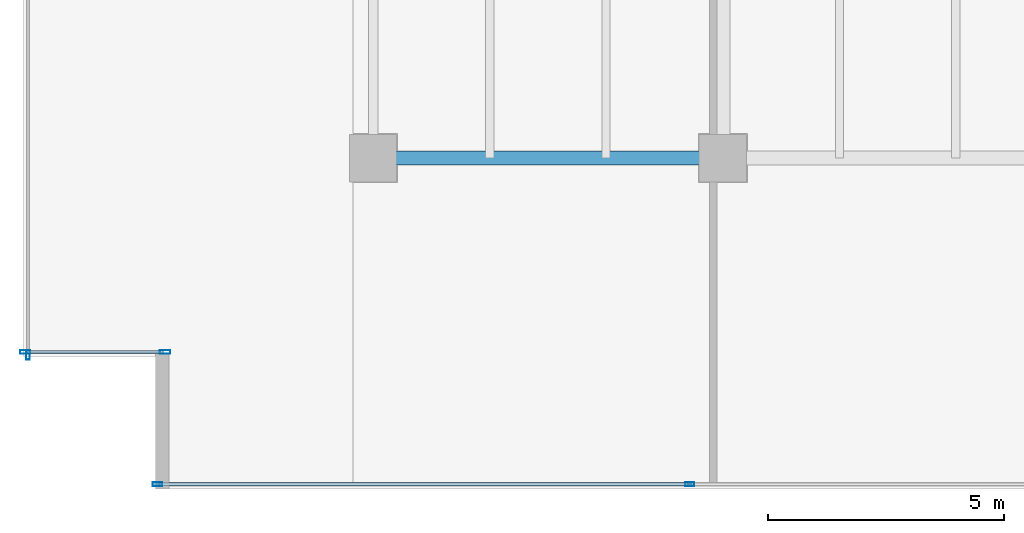
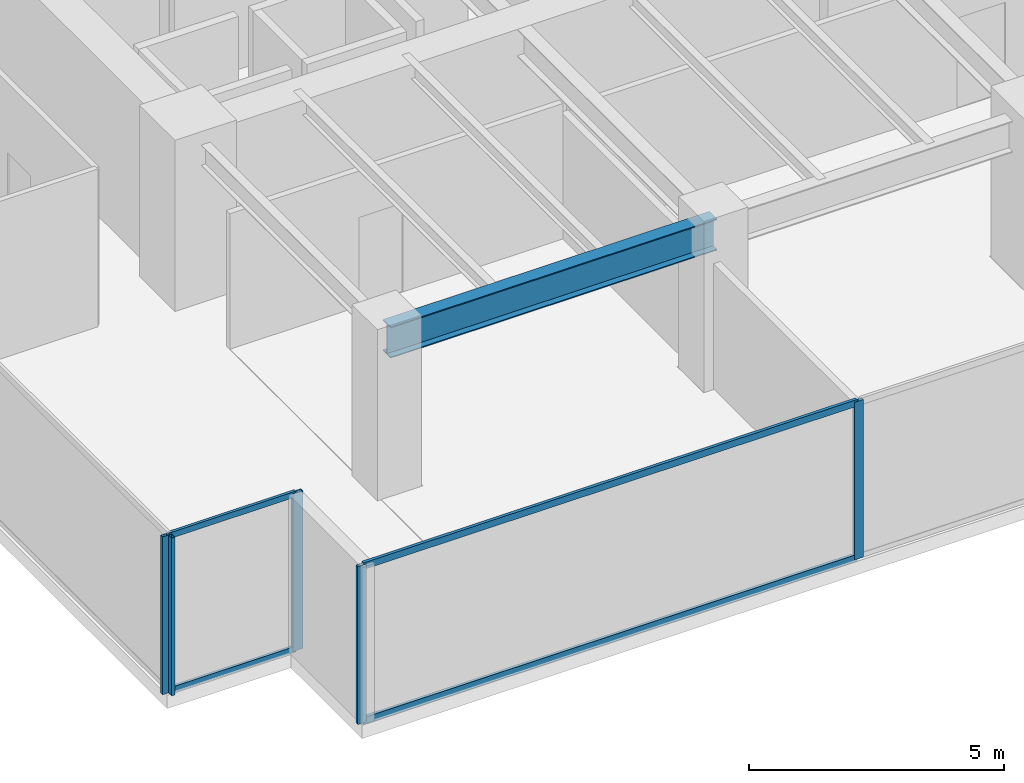
# One storey, part 2 of 37: 9 members, 1 beam, 3 elements without a shape of their own.
"""IFC4 building model written with IfcOpenShell, lengths in metres."""

from ifc_helpers import new_model, si_unit, direction, frame, origin, origin_2d, place, context, subcontext, project, spatial, hollow_rectangle, i_section, extrude, source, transform, mapped, material, layer, layer_set, material_profile, profile_set, type_object, type_shapes, element, aggregate, save


model = new_model("IFC4")

# Units and contexts
model_context = context("Model", 3, precision=1e-05, world=origin(), true_north=direction((0.0, 1.0)))
body_context = subcontext(model_context, "Body", "Model", "MODEL_VIEW")
ifc_project = project(units=[si_unit("LENGTHUNIT", "METRE"), si_unit("AREAUNIT", "SQUARE_METRE"), si_unit("VOLUMEUNIT", "CUBIC_METRE"), si_unit("PLANEANGLEUNIT", "RADIAN"), si_unit("MASSUNIT", "GRAM", prefix="KILO")], contexts=[model_context])

# Site, building, storey
site_placement = place(None, origin())
site = spatial("IfcSite", under=ifc_project, at=site_placement, CompositionType="ELEMENT")
building_placement = place(site_placement, origin())
building = spatial("IfcBuilding", under=site, at=building_placement, Name="Haelvirn Gate Laboratories", CompositionType="ELEMENT")
storey_placement = place(building_placement, frame((0.0, 0.0, 78.5)))
storey = spatial("IfcBuildingStorey", under=building, at=storey_placement, Name="L19", CompositionType="ELEMENT", Elevation=78.5)

# Beam
ifc_material_1 = material(Name="Steel SM355", Category="steel")
ifc_material_profile_1 = material_profile(ifc_material_1, i_section(OverallWidth=0.300048828125, OverallDepth=0.75, WebThickness=0.013916015625, FlangeThickness=0.02392578125, at=origin_2d()), Name="H-750x300x14x24")
ifc_profile_set_1 = profile_set([ifc_material_profile_1], Name="Steel SM355")
beam_type = type_object("IfcBeamType", Name="BM-G-750", PredefinedType="BEAM", material=ifc_profile_set_1)
shared_shape_1 = source(origin(), body_context, "Body", "SweptSolid", [
    extrude(i_section(OverallWidth=0.300048828125, OverallDepth=0.75, WebThickness=0.013916015625, FlangeThickness=0.02392578125, at=origin_2d()), origin(), (0.0, 0.0, 1.0), 7.400146484375),
])
type_shapes(beam_type, [shared_shape_1])
beam_placement = place(storey_placement, frame((7.39990234375, 7.0, 3.405029296875), z_axis=(1.0, 0.0, 0.0), x_axis=(0.0, 1.0, 0.0)))
element("IfcBeam", 1, at=beam_placement, inside=storey, type_object=beam_type, Name="L19 Primary Girder Y7.0 (7.4-14.8)", PredefinedType="BEAM", context=body_context, shape_type="MappedRepresentation", body=[
    mapped(shared_shape_1, transform((0.0, 0.0, 0.0), scale=1.0)),
])

# Curtain wall, members
ifc_material_2 = material(Name="Anodised bronze unitised aluminium & triple low-E glass", Category="aluminium")
ifc_layer_1 = layer(ifc_material_2, 0.18408203125, Name="CW-SYS-2")
ifc_layer_set_1 = layer_set([ifc_layer_1], Name="Anodised bronze unitised aluminium & triple low-E glass")
curtain_wall_type_1 = type_object("IfcCurtainWallType", Name="CW-SYS-2", PredefinedType="NOTDEFINED", material=ifc_layer_set_1)
curtain_wall_1_placement = place(storey_placement, origin())
curtain_wall_1 = element("IfcCurtainWall", 2, at=curtain_wall_1_placement, inside=storey, type_object=curtain_wall_type_1, Name="L19 Unitised Curtain Wall CW-L19-P0-E00-1", PredefinedType="NOTDEFINED")
ifc_material_3 = material(Name="Extruded aluminium 6063-T6 (anodised bronze)", Category="aluminium")
ifc_material_profile_2 = material_profile(ifc_material_3, hollow_rectangle(XDim=0.074951171875, YDim=0.199951171875, WallThickness=0.0048828125, at=origin_2d()), Name="CWM-200x75x5")
ifc_profile_set_2 = profile_set([ifc_material_profile_2], Name="Extruded aluminium 6063-T6 (anodised bronze)")
member_type_1 = type_object("IfcMemberType", Name="CWM-T200", PredefinedType="MULLION", material=ifc_profile_set_2)
shared_shape_2 = source(origin(), body_context, "Body", "SweptSolid", [
    extrude(hollow_rectangle(XDim=0.074951171875, YDim=0.199951171875, WallThickness=0.0048828125, at=origin_2d()), origin(), (0.0, 0.0, 1.0), 3.780029296875),
])
type_shapes(member_type_1, [shared_shape_2])
member_1_placement = place(storey_placement, frame((2.83740234375, 0.10009765625, 0.0), z_axis=(0.0, 0.0, 1.0), x_axis=(0.0, 1.0, 0.0)))
member_1 = element("IfcMember", 3, at=member_1_placement, type_object=member_type_1, Name="CW2 mullion 1", PredefinedType="MULLION", context=body_context, shape_type="MappedRepresentation", body=[
    mapped(shared_shape_2, transform((0.0, 0.0, 0.0), scale=1.0)),
])
member_2_placement = place(storey_placement, frame((14.10009765625, 0.10009765625, 0.0), z_axis=(0.0, 0.0, 1.0), x_axis=(0.0, 1.0, 0.0)))
member_2 = element("IfcMember", 4, at=member_2_placement, type_object=member_type_1, Name="CW2 mullion 2", PredefinedType="MULLION", context=body_context, shape_type="MappedRepresentation", body=[
    mapped(shared_shape_2, transform((0.0, 0.0, 0.0), scale=1.0)),
])

# Curtain wall, member
curtain_wall_2_placement = place(storey_placement, origin())
curtain_wall_2 = element("IfcCurtainWall", 5, at=curtain_wall_2_placement, inside=storey, type_object=curtain_wall_type_1, Name="L19 Unitised Curtain Wall CW-L19-P0-E17", PredefinedType="NOTDEFINED")
member_3_placement = place(storey_placement, frame((0.10009765625, 2.83740234375, 0.0), z_axis=(0.0, 0.0, 1.0), x_axis=(1.0, 0.0, 0.0)))
member_3 = element("IfcMember", 6, at=member_3_placement, type_object=member_type_1, Name="CW2 mullion 4", PredefinedType="MULLION", context=body_context, shape_type="MappedRepresentation", body=[
    mapped(shared_shape_2, transform((0.0, 0.0, 0.0), scale=1.0)),
])
aggregate(curtain_wall_2, [member_3])

# Member
ifc_material_profile_3 = material_profile(ifc_material_3, hollow_rectangle(XDim=0.070068359375, YDim=0.159912109375, WallThickness=0.0048828125, at=origin_2d()), Name="CWT-160x70x5")
ifc_profile_set_3 = profile_set([ifc_material_profile_3], Name="Extruded aluminium 6063-T6 (anodised bronze)")
member_type_2 = type_object("IfcMemberType", Name="CWT-T160", PredefinedType="USERDEFINED", material=ifc_profile_set_3)
shared_shape_3 = source(origin(), body_context, "Body", "SweptSolid", [
    extrude(hollow_rectangle(XDim=0.070068359375, YDim=0.159912109375, WallThickness=0.0048828125, at=origin_2d()), origin(), (0.0, 0.0, 1.0), 11.1875),
])
type_shapes(member_type_2, [shared_shape_3])
member_4_placement = place(storey_placement, frame((2.875, 0.10009765625, 0.034912109375), z_axis=(1.0, 0.0, 0.0), x_axis=(0.0, 1.0, 0.0)))
member_4 = element("IfcMember", 7, at=member_4_placement, type_object=member_type_2, Name="CW2 transom 1.1", ObjectType="TRANSOM", PredefinedType="USERDEFINED", context=body_context, shape_type="MappedRepresentation", body=[
    mapped(shared_shape_3, transform((0.0, 0.0, 0.0), scale=1.0)),
])

member_5_placement = place(storey_placement, frame((2.875, 0.10009765625, 3.7451171875), z_axis=(1.0, 0.0, 0.0), x_axis=(0.0, 1.0, 0.0)))
member_5 = element("IfcMember", 8, at=member_5_placement, type_object=member_type_2, Name="CW2 transom 1.2", ObjectType="TRANSOM", PredefinedType="USERDEFINED", context=body_context, shape_type="MappedRepresentation", body=[
    mapped(shared_shape_3, transform((0.0, 0.0, 0.0), scale=1.0)),
])

aggregate(curtain_wall_1, [member_1, member_2, member_4, member_5])

# Curtain wall, members
ifc_layer_2 = layer(ifc_material_2, 0.181884765625, Name="CW-SYS-5")
ifc_layer_set_2 = layer_set([ifc_layer_2], Name="Anodised bronze unitised aluminium & triple low-E glass")
curtain_wall_type_2 = type_object("IfcCurtainWallType", Name="CW-SYS-5", PredefinedType="NOTDEFINED", material=ifc_layer_set_2)
curtain_wall_3_placement = place(storey_placement, origin())
curtain_wall_3 = element("IfcCurtainWall", 9, at=curtain_wall_3_placement, inside=storey, type_object=curtain_wall_type_2, Name="L19 Unitised Curtain Wall CW-L19-P0-E18-1", PredefinedType="NOTDEFINED")
ifc_material_profile_4 = material_profile(ifc_material_3, hollow_rectangle(XDim=0.080078125, YDim=0.219970703125, WallThickness=0.006103515625, at=origin_2d()), Name="CWM-220x80x6")
ifc_profile_set_4 = profile_set([ifc_material_profile_4], Name="Extruded aluminium 6063-T6 (anodised bronze)")
member_type_3 = type_object("IfcMemberType", Name="CWM-T220", PredefinedType="MULLION", material=ifc_profile_set_4)
shared_shape_4 = source(origin(), body_context, "Body", "SweptSolid", [
    extrude(hollow_rectangle(XDim=0.080078125, YDim=0.219970703125, WallThickness=0.006103515625, at=origin_2d()), origin(), (0.0, 0.0, 1.0), 3.780029296875),
])
type_shapes(member_type_3, [shared_shape_4])
member_6_placement = place(storey_placement, frame((0.0400390625, 2.89990234375, 0.0), z_axis=(0.0, 0.0, 1.0), x_axis=(0.0, 1.0, 0.0)))
member_6 = element("IfcMember", 10, at=member_6_placement, type_object=member_type_3, Name="CW5 mullion 1", PredefinedType="MULLION", context=body_context, shape_type="MappedRepresentation", body=[
    mapped(shared_shape_4, transform((0.0, 0.0, 0.0), scale=1.0)),
])
member_7_placement = place(storey_placement, frame((3.0, 2.89990234375, 0.0), z_axis=(0.0, 0.0, 1.0), x_axis=(0.0, 1.0, 0.0)))
member_7 = element("IfcMember", 11, at=member_7_placement, type_object=member_type_3, Name="CW5 mullion 2", PredefinedType="MULLION", context=body_context, shape_type="MappedRepresentation", body=[
    mapped(shared_shape_4, transform((0.0, 0.0, 0.0), scale=1.0)),
])
ifc_material_profile_5 = material_profile(ifc_material_3, hollow_rectangle(XDim=0.06494140625, YDim=0.139892578125, WallThickness=0.00390625, at=origin_2d()), Name="CWT-140x65x4")
ifc_profile_set_5 = profile_set([ifc_material_profile_5], Name="Extruded aluminium 6063-T6 (anodised bronze)")
member_type_4 = type_object("IfcMemberType", Name="CWT-T140", PredefinedType="USERDEFINED", material=ifc_profile_set_5)
shared_shape_5 = source(origin(), body_context, "Body", "SweptSolid", [
    extrude(hollow_rectangle(XDim=0.06494140625, YDim=0.139892578125, WallThickness=0.00390625, at=origin_2d()), origin(), (0.0, 0.0, 1.0), 2.8798828125),
])
type_shapes(member_type_4, [shared_shape_5])
member_8_placement = place(storey_placement, frame((0.080078125, 2.89990234375, 0.032470703125), z_axis=(1.0, 0.0, 0.0), x_axis=(0.0, 1.0, 0.0)))
member_8 = element("IfcMember", 12, at=member_8_placement, type_object=member_type_4, Name="CW5 transom 1.1", ObjectType="TRANSOM", PredefinedType="USERDEFINED", context=body_context, shape_type="MappedRepresentation", body=[
    mapped(shared_shape_5, transform((0.0, 0.0, 0.0), scale=1.0)),
])
member_9_placement = place(storey_placement, frame((0.080078125, 2.89990234375, 3.74755859375), z_axis=(1.0, 0.0, 0.0), x_axis=(0.0, 1.0, 0.0)))
member_9 = element("IfcMember", 13, at=member_9_placement, type_object=member_type_4, Name="CW5 transom 1.2", ObjectType="TRANSOM", PredefinedType="USERDEFINED", context=body_context, shape_type="MappedRepresentation", body=[
    mapped(shared_shape_5, transform((0.0, 0.0, 0.0), scale=1.0)),
])
aggregate(curtain_wall_3, [member_6, member_7, member_8, member_9])

save(model, "model.ifc")
